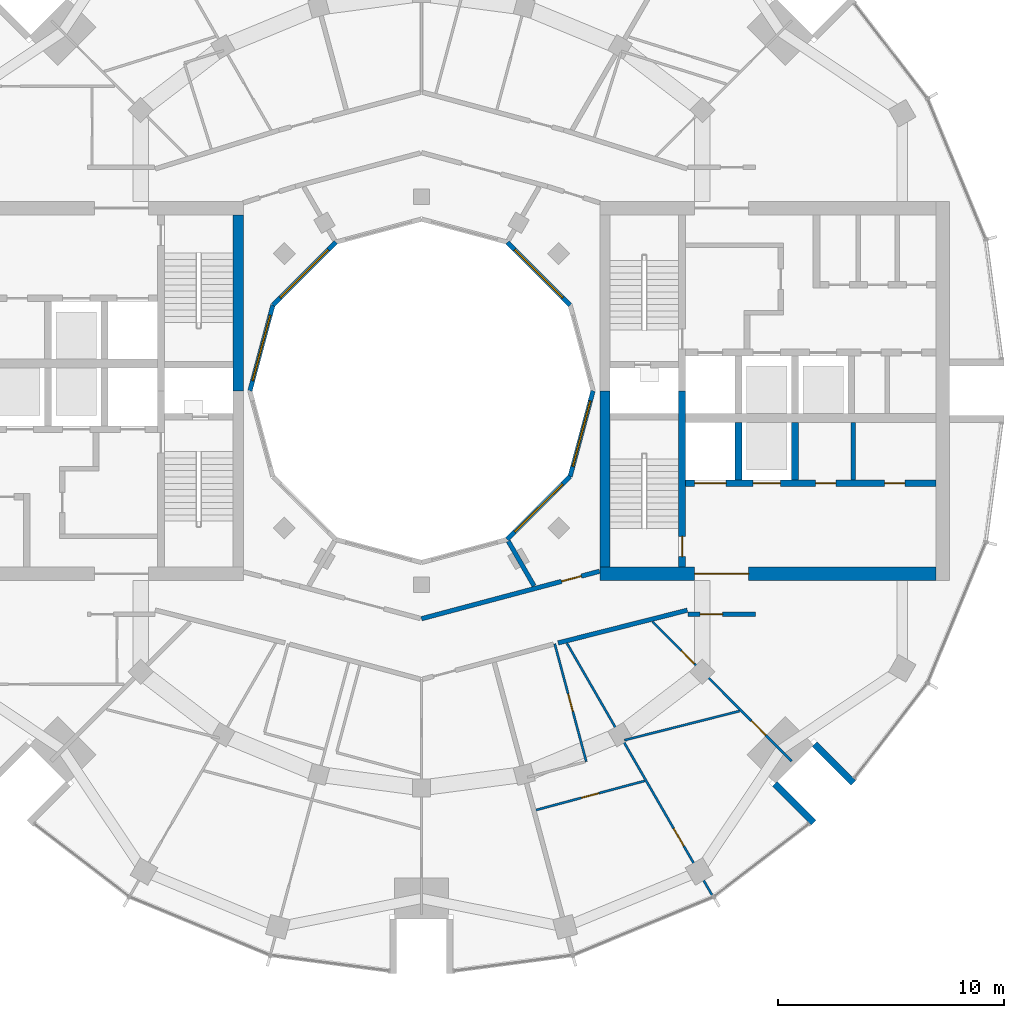
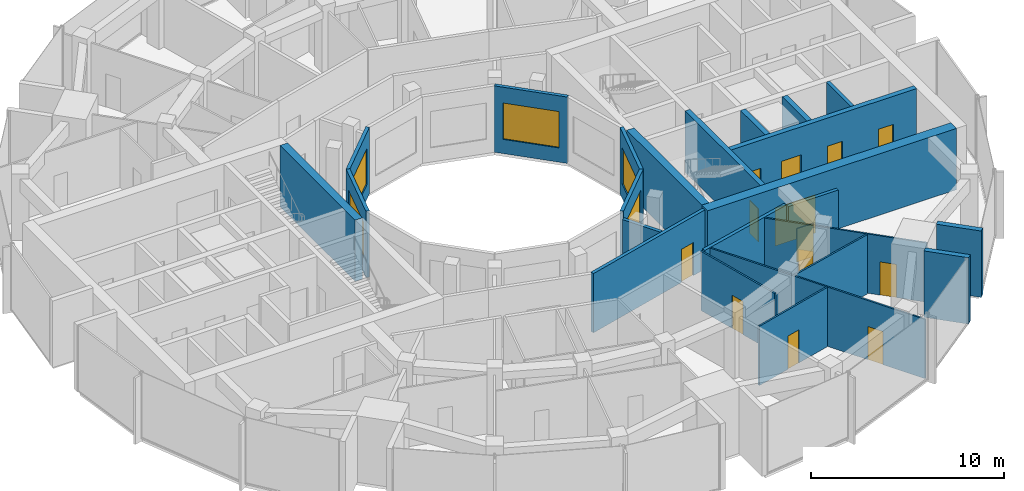
# One storey, part 10 of 15: 24 walls, 13 doors, 5 windows, 18 openings.
"""IFC4 building model written with IfcOpenShell, lengths in metres."""

from ifc_helpers import new_model, si_unit, direction, frame, frame_2d, origin, place, context, subcontext, project, spatial, rectangle, extrude, material, layer, layer_set, type_object, element, fill, save


model = new_model("IFC4")

# Units and contexts
model_context = context("Model", 3, precision=1e-05, world=origin(), true_north=direction((0.0, 1.0)))
body_context = subcontext(model_context, "Body", "Model", "MODEL_VIEW")
ifc_project = project(units=[si_unit("LENGTHUNIT", "METRE"), si_unit("AREAUNIT", "SQUARE_METRE"), si_unit("VOLUMEUNIT", "CUBIC_METRE"), si_unit("PLANEANGLEUNIT", "RADIAN"), si_unit("MASSUNIT", "GRAM", prefix="KILO")], contexts=[model_context])

# Site, building, storey
site_placement = place(None, origin())
site = spatial("IfcSite", under=ifc_project, at=site_placement, CompositionType="ELEMENT")
building_placement = place(site_placement, origin())
building = spatial("IfcBuilding", under=site, at=building_placement, Name="Torre Brocal", CompositionType="ELEMENT")
storey_placement = place(building_placement, frame((0.0, 0.0, 258.300048828125)))
storey = spatial("IfcBuildingStorey", under=building, at=storey_placement, Name="L59", CompositionType="ELEMENT", Elevation=258.300048828125)

# Wall
ifc_material_1 = material(Name="Masonry block", Category="masonry")
ifc_layer_1 = layer(ifc_material_1, 0.199951171875)
ifc_layer_set_1 = layer_set([ifc_layer_1], Name="Masonry block")
wall_type_1 = type_object("IfcWallType", Name="CORE PARTITION 200", PredefinedType="PARTITIONING", material=ifc_layer_set_1)
wall_1_placement = place(storey_placement, frame((99.139892578125, 71.050048828125, 0.0), z_axis=(0.0, 0.0, 1.0), x_axis=(0.0, 1.0, 0.0)))
element("IfcWall", 1, at=wall_1_placement, inside=storey, type_object=wall_type_1, Name="Wall CP200", PredefinedType="PARTITIONING", context=body_context, shape_type="SweptSolid", body=[
    extrude(rectangle(XDim=2.550048828125, YDim=0.199951171875, at=frame_2d((1.27490234375, 0.0))), origin(), (0.0, 0.0, 1.0), 3.8798828125),
])

# Wall, opening, door
ifc_material_2 = material(Name="Concrete C60", Category="concrete")
ifc_layer_2 = layer(ifc_material_2, 0.300048828125)
ifc_layer_set_2 = layer_set([ifc_layer_2], Name="Concrete C60")
wall_type_2 = type_object("IfcWallType", Name="CORE WALL 300 C60", PredefinedType="SHEAR", material=ifc_layer_set_2)
wall_2_placement = place(storey_placement, frame((91.550048828125, 67.199951171875, 0.0), z_axis=(0.0, 0.0, 1.0), x_axis=(0.0, 1.0, 0.0)))
wall_2 = element("IfcWall", 2, at=wall_2_placement, inside=storey, type_object=wall_type_2, Name="Wall CW300-60", PredefinedType="SHEAR", context=body_context, shape_type="SweptSolid", body=[
    extrude(rectangle(XDim=7.800048828125, YDim=0.300048828125, at=frame_2d((3.89990234375, 0.0))), origin(), (0.0, 0.0, 1.0), 3.8798828125),
])
opening_1_placement = place(wall_2_placement, frame((0.449951171875, 0.0, 0.0)))
opening_1 = element("IfcOpeningElement", 3, at=opening_1_placement, cuts=wall_2, Name="Opening E-D03", PredefinedType="OPENING", context=body_context, shape_type="SweptSolid", body=[
    extrude(rectangle(XDim=0.89990234375, YDim=2.10009765625, at=frame_2d((0.449951171875, 1.050048828125))), frame((0.0, 0.159912109375, 0.0), z_axis=(0.0, -1.0, 0.0), x_axis=(1.0, 0.0, 0.0)), (0.0, 0.0, 1.0), 0.320068359375),
])
ifc_material_3 = material(Name="Steel A653", Category="steel")
door_type_1 = type_object("IfcDoorType", Name="STAIR DOOR FD120 900X2100", OperationType="SINGLE_SWING_RIGHT", PredefinedType="DOOR", material=ifc_material_3)
door_1_placement = place(opening_1_placement, origin())
door_1 = element("IfcDoor", 4, at=door_1_placement, inside=storey, type_object=door_type_1, Name="Door E-D03", OperationType="SINGLE_SWING_LEFT", OverallHeight=2.10009765625, OverallWidth=0.89990234375, PredefinedType="DOOR", context=body_context, shape_type="SweptSolid", body=[
    extrude(rectangle(XDim=0.89990234375, YDim=2.10009765625, at=frame_2d((0.449951171875, 1.050048828125))), frame((0.0, 0.02490234375, 0.0), z_axis=(0.0, -1.0, 0.0), x_axis=(1.0, 0.0, 0.0)), (0.0, 0.0, 1.0), 0.050048828125),
])
fill(opening_1, door_1)

# Wall, openings, doors
wall_3_placement = place(storey_placement, frame((91.699951171875, 70.89990234375, 0.0), z_axis=(0.0, 0.0, 1.0), x_axis=(1.0, 0.0, 0.0)))
wall_3 = element("IfcWall", 5, at=wall_3_placement, inside=storey, type_object=wall_type_2, Name="Wall CW300-60", PredefinedType="SHEAR", context=body_context, shape_type="SweptSolid", body=[
    extrude(rectangle(XDim=11.10009765625, YDim=0.300048828125, at=frame_2d((5.550048828125, 0.0))), origin(), (0.0, 0.0, 1.0), 3.8798828125),
])
opening_2_placement = place(wall_3_placement, frame((0.39990234375, 0.0, 0.0)))
opening_2 = element("IfcOpeningElement", 6, at=opening_2_placement, cuts=wall_3, Name="Opening LD14", PredefinedType="OPENING", context=body_context, shape_type="SweptSolid", body=[
    extrude(rectangle(XDim=1.39990234375, YDim=2.10009765625, at=frame_2d((0.699951171875, 1.050048828125))), frame((0.0, 0.159912109375, 0.0), z_axis=(0.0, -1.0, 0.0), x_axis=(1.0, 0.0, 0.0)), (0.0, 0.0, 1.0), 0.320068359375),
])
opening_3_placement = place(wall_3_placement, frame((3.0, 0.0, 0.0)))
opening_3 = element("IfcOpeningElement", 7, at=opening_3_placement, cuts=wall_3, Name="Opening LD12", PredefinedType="OPENING", context=body_context, shape_type="SweptSolid", body=[
    extrude(rectangle(XDim=1.199951171875, YDim=2.10009765625, at=frame_2d((0.60009765625, 1.050048828125))), frame((0.0, 0.159912109375, 0.0), z_axis=(0.0, -1.0, 0.0), x_axis=(1.0, 0.0, 0.0)), (0.0, 0.0, 1.0), 0.320068359375),
])
opening_4_placement = place(wall_3_placement, frame((5.77001953125, 0.0, 0.0)))
opening_4 = element("IfcOpeningElement", 8, at=opening_4_placement, cuts=wall_3, Name="Opening E-D06", PredefinedType="OPENING", context=body_context, shape_type="SweptSolid", body=[
    extrude(rectangle(XDim=0.89990234375, YDim=2.10009765625, at=frame_2d((0.449951171875, 1.050048828125))), frame((0.0, 0.159912109375, 0.0), z_axis=(0.0, -1.0, 0.0), x_axis=(1.0, 0.0, 0.0)), (0.0, 0.0, 1.0), 0.320068359375),
])
opening_5_placement = place(wall_3_placement, frame((8.820068359375, 0.0, 0.0)))
opening_5 = element("IfcOpeningElement", 9, at=opening_5_placement, cuts=wall_3, Name="Opening E-D07", PredefinedType="OPENING", context=body_context, shape_type="SweptSolid", body=[
    extrude(rectangle(XDim=0.89990234375, YDim=2.10009765625, at=frame_2d((0.449951171875, 1.050048828125))), frame((0.0, 0.159912109375, 0.0), z_axis=(0.0, -1.0, 0.0), x_axis=(1.0, 0.0, 0.0)), (0.0, 0.0, 1.0), 0.320068359375),
])
ifc_material_4 = material(Name="Stainless steel AISI 316", Category="steel")
door_type_2 = type_object("IfcDoorType", Name="LIFT LANDING DOOR 1200X2100", OperationType="DOUBLE_DOOR_SLIDING", PredefinedType="DOOR", material=ifc_material_4)
door_2_placement = place(opening_3_placement, origin())
door_2 = element("IfcDoor", 10, at=door_2_placement, inside=storey, type_object=door_type_2, Name="Door LD12", OperationType="DOUBLE_DOOR_SLIDING", OverallHeight=2.10009765625, OverallWidth=1.199951171875, PredefinedType="DOOR", context=body_context, shape_type="SweptSolid", body=[
    extrude(rectangle(XDim=1.199951171875, YDim=2.10009765625, at=frame_2d((0.60009765625, 1.050048828125))), frame((0.0, 0.02490234375, 0.0), z_axis=(0.0, -1.0, 0.0), x_axis=(1.0, 0.0, 0.0)), (0.0, 0.0, 1.0), 0.050048828125),
])
fill(opening_3, door_2)
ifc_material_5 = material(Name="Stainless steel AISI 316", Category="steel")
door_type_3 = type_object("IfcDoorType", Name="LIFT LANDING DOOR 1400X2100", OperationType="DOUBLE_DOOR_SLIDING", PredefinedType="DOOR", material=ifc_material_5)
door_3_placement = place(opening_2_placement, origin())
door_3 = element("IfcDoor", 11, at=door_3_placement, inside=storey, type_object=door_type_3, Name="Door LD14", OperationType="DOUBLE_DOOR_SLIDING", OverallHeight=2.10009765625, OverallWidth=1.39990234375, PredefinedType="DOOR", context=body_context, shape_type="SweptSolid", body=[
    extrude(rectangle(XDim=1.39990234375, YDim=2.10009765625, at=frame_2d((0.699951171875, 1.050048828125))), frame((0.0, 0.02490234375, 0.0), z_axis=(0.0, -1.0, 0.0), x_axis=(1.0, 0.0, 0.0)), (0.0, 0.0, 1.0), 0.050048828125),
])
fill(opening_2, door_3)
ifc_material_6 = material(Name="Steel A653", Category="steel")
door_type_4 = type_object("IfcDoorType", Name="ROOM DOOR FD30S 900X2100", OperationType="SINGLE_SWING_LEFT", PredefinedType="DOOR", material=ifc_material_6)
door_4_placement = place(opening_4_placement, origin())
door_4 = element("IfcDoor", 12, at=door_4_placement, inside=storey, type_object=door_type_4, Name="Door E-D06", OperationType="SINGLE_SWING_RIGHT", OverallHeight=2.10009765625, OverallWidth=0.89990234375, PredefinedType="DOOR", context=body_context, shape_type="SweptSolid", body=[
    extrude(rectangle(XDim=0.89990234375, YDim=2.10009765625, at=frame_2d((0.449951171875, 1.050048828125))), frame((0.0, 0.02490234375, 0.0), z_axis=(0.0, -1.0, 0.0), x_axis=(1.0, 0.0, 0.0)), (0.0, 0.0, 1.0), 0.050048828125),
])
fill(opening_4, door_4)
door_5_placement = place(opening_5_placement, origin())
door_5 = element("IfcDoor", 13, at=door_5_placement, inside=storey, type_object=door_type_4, Name="Door E-D07", OperationType="SINGLE_SWING_LEFT", OverallHeight=2.10009765625, OverallWidth=0.89990234375, PredefinedType="DOOR", context=body_context, shape_type="SweptSolid", body=[
    extrude(rectangle(XDim=0.89990234375, YDim=2.10009765625, at=frame_2d((0.449951171875, 1.050048828125))), frame((0.0, 0.02490234375, 0.0), z_axis=(0.0, -1.0, 0.0), x_axis=(1.0, 0.0, 0.0)), (0.0, 0.0, 1.0), 0.050048828125),
])
fill(opening_5, door_5)

# Walls
for number, where, z_axis, x_axis, name in (
    (14, (94.050048828125, 71.050048828125, 0.0), (0.0, 0.0, 1.0), (0.0, 1.0, 0.0), "Wall CW300-60"),
    (15, (96.550048828125, 71.050048828125, 0.0), (0.0, 0.0, 1.0), (0.0, 1.0, 0.0), "Wall CW300-60"),
):
    element("IfcWall", number, at=place(storey_placement, frame(where, z_axis=z_axis, x_axis=x_axis)), inside=storey, type_object=wall_type_2, Name=name, PredefinedType="SHEAR", context=body_context, shape_type="SweptSolid", body=[
        extrude(rectangle(XDim=2.550048828125, YDim=0.300048828125, at=frame_2d((1.27490234375, 0.0))), origin(), (0.0, 0.0, 1.0), 3.8798828125),
    ])
ifc_material_7 = material(Name="Concrete C60", Category="concrete")
ifc_layer_3 = layer(ifc_material_7, 0.449951171875)
ifc_layer_set_3 = layer_set([ifc_layer_3], Name="Concrete C60")
wall_type_3 = type_object("IfcWallType", Name="CORE WALL 450 C60", PredefinedType="SHEAR", material=ifc_layer_set_3)
for number, where, z_axis, x_axis, name in (
    (16, (88.125, 67.199951171875, 0.0), (0.0, 0.0, 1.0), (0.0, 1.0, 0.0), "Wall CW450-60"),
    (17, (71.875, 82.800048828125, 0.0), (0.0, 0.0, 1.0), (0.0, -1.0, 0.0), "Wall CW450-60"),
):
    element("IfcWall", number, at=place(storey_placement, frame(where, z_axis=z_axis, x_axis=x_axis)), inside=storey, type_object=wall_type_3, Name=name, PredefinedType="SHEAR", context=body_context, shape_type="SweptSolid", body=[
        extrude(rectangle(XDim=7.800048828125, YDim=0.449951171875, at=frame_2d((3.89990234375, 0.0))), origin(), (0.0, 0.0, 1.0), 3.8798828125),
    ])

# Wall, opening, door
ifc_material_8 = material(Name="Concrete C60", Category="concrete")
ifc_layer_4 = layer(ifc_material_8, 0.60009765625)
ifc_layer_set_4 = layer_set([ifc_layer_4], Name="Concrete C60")
wall_type_4 = type_object("IfcWallType", Name="CORE WALL 600 C60", PredefinedType="SHEAR", material=ifc_layer_set_4)
wall_4_placement = place(storey_placement, frame((87.89990234375, 66.89990234375, 0.0), z_axis=(0.0, 0.0, 1.0), x_axis=(1.0, 0.0, 0.0)))
wall_4 = element("IfcWall", 18, at=wall_4_placement, inside=storey, type_object=wall_type_4, Name="Wall CW600-60", PredefinedType="SHEAR", context=body_context, shape_type="SweptSolid", body=[
    extrude(rectangle(XDim=14.900146484375, YDim=0.60009765625, at=frame_2d((7.4501953125, 0.0))), origin(), (0.0, 0.0, 1.0), 3.8798828125),
])
opening_6_placement = place(wall_4_placement, frame((4.199951171875, 0.0, 0.0)))
opening_6 = element("IfcOpeningElement", 19, at=opening_6_placement, cuts=wall_4, Name="Opening E-D13", PredefinedType="OPENING", context=body_context, shape_type="SweptSolid", body=[
    extrude(rectangle(XDim=2.39990234375, YDim=2.39990234375, at=frame_2d((1.199951171875, 1.199951171875))), frame((0.0, 0.31005859375, 0.0), z_axis=(0.0, -1.0, 0.0), x_axis=(1.0, 0.0, 0.0)), (0.0, 0.0, 1.0), 0.6201171875),
])
ifc_material_9 = material(Name="Steel A653", Category="steel")
door_type_5 = type_object("IfcDoorType", Name="DOUBLE FIRE DOOR FD90 2400X2400", OperationType="DOUBLE_DOOR_SINGLE_SWING", PredefinedType="DOOR", material=ifc_material_9)
door_6_placement = place(opening_6_placement, origin())
door_6 = element("IfcDoor", 20, at=door_6_placement, inside=storey, type_object=door_type_5, Name="Door E-D13", OperationType="DOUBLE_DOOR_SINGLE_SWING", OverallHeight=2.39990234375, OverallWidth=2.39990234375, PredefinedType="DOOR", context=body_context, shape_type="SweptSolid", body=[
    extrude(rectangle(XDim=2.39990234375, YDim=2.39990234375, at=frame_2d((1.199951171875, 1.199951171875))), frame((0.0, 0.02490234375, 0.0), z_axis=(0.0, -1.0, 0.0), x_axis=(1.0, 0.0, 0.0)), (0.0, 0.0, 1.0), 0.050048828125),
])
fill(opening_6, door_6)

# Walls
ifc_material_10 = material(Name="Concrete C60", Category="concrete")
ifc_layer_5 = layer(ifc_material_10, 0.300048828125)
ifc_layer_set_5 = layer_set([ifc_layer_5], Name="Concrete C60")
wall_type_5 = type_object("IfcWallType", Name="NOTCH RETURN WALL 300 C60", PredefinedType="NOTDEFINED", material=ifc_layer_set_5)
for number, where, z_axis, x_axis, name in (
    (21, (95.662353515625, 57.56982421875, 0.0), (0.0, 0.0, 1.0), (0.707106781187, -0.707106781187, 0.0), "NOTCH RETURN WALL"),
    (22, (97.43017578125, 59.337646484375, 0.0), (0.0, 0.0, 1.0), (0.707106781187, -0.707106781187, 0.0), "NOTCH RETURN WALL"),
):
    element("IfcWall", number, at=place(storey_placement, frame(where, z_axis=z_axis, x_axis=x_axis)), inside=storey, type_object=wall_type_5, Name=name, PredefinedType="NOTDEFINED", context=body_context, shape_type="SweptSolid", body=[
        extrude(rectangle(XDim=2.415771484375, YDim=0.300048828125, at=frame_2d((1.2080078125, 0.0))), origin(), (0.0, 0.0, 1.0), 4.199951171875),
    ])

# Wall, opening, door
ifc_material_11 = material(Name="Gypsum board", Category="Gypsum")
ifc_layer_6 = layer(ifc_material_11, 0.10009765625)
ifc_layer_set_6 = layer_set([ifc_layer_6], Name="Gypsum board")
wall_type_6 = type_object("IfcWallType", Name="PARTITION 100", PredefinedType="PARTITIONING", material=ifc_layer_set_6)
wall_5_placement = place(storey_placement, frame((85.08154296875, 56.421875, 0.0), z_axis=(0.0, 0.0, 1.0), x_axis=(0.965916105496, 0.258855320873, 0.0)))
wall_5 = element("IfcWall", 23, at=wall_5_placement, inside=storey, type_object=wall_type_6, Name="BATHROOM WALL", PredefinedType="PARTITIONING", context=body_context, shape_type="SweptSolid", body=[
    extrude(rectangle(XDim=4.980712890625, YDim=0.10009765625, at=frame_2d((2.490234375, 0.0))), origin(), (0.0, 0.0, 1.0), 3.75),
])
opening_7_placement = place(wall_5_placement, frame((2.08056640625, 0.0, 0.0)))
opening_7 = element("IfcOpeningElement", 24, at=opening_7_placement, cuts=wall_5, Name="Opening B04-D26", PredefinedType="OPENING", context=body_context, shape_type="SweptSolid", body=[
    extrude(rectangle(XDim=0.800048828125, YDim=2.10009765625, at=frame_2d((0.39990234375, 1.050048828125))), frame((0.0, 0.06005859375, 0.0), z_axis=(0.0, -1.0, 0.0), x_axis=(1.0, 0.0, 0.0)), (0.0, 0.0, 1.0), 0.1201171875),
])
ifc_material_12 = material(Name="Timber", Category="wood")
door_type_6 = type_object("IfcDoorType", Name="BATHROOM DOOR 800X2100", OperationType="SINGLE_SWING_LEFT", PredefinedType="DOOR", material=ifc_material_12)
door_7_placement = place(opening_7_placement, frame((0.800048828125, 0.0, 0.0), z_axis=(0.0, 0.0, 1.0), x_axis=(-1.0, 0.0, 0.0)))
door_7 = element("IfcDoor", 25, at=door_7_placement, inside=storey, type_object=door_type_6, Name="B04-D26", OperationType="SINGLE_SWING_RIGHT", OverallHeight=2.10009765625, OverallWidth=0.800048828125, PredefinedType="DOOR", context=body_context, shape_type="SweptSolid", body=[
    extrude(rectangle(XDim=0.800048828125, YDim=2.10009765625, at=frame_2d((0.39990234375, 1.050048828125))), frame((0.0, 0.02490234375, 0.0), z_axis=(0.0, -1.0, 0.0), x_axis=(1.0, 0.0, 0.0)), (0.0, 0.0, 1.0), 0.050048828125),
])
fill(opening_7, door_7)

wall_6_placement = place(storey_placement, frame((85.904052734375, 63.785888671875, 0.0), z_axis=(0.0, 0.0, 1.0), x_axis=(0.258883730688, -0.965908491517, 0.0)))
wall_6 = element("IfcWall", 26, at=wall_6_placement, inside=storey, type_object=wall_type_6, Name="BATHROOM WALL", PredefinedType="PARTITIONING", context=body_context, shape_type="SweptSolid", body=[
    extrude(rectangle(XDim=5.39990234375, YDim=0.10009765625, at=frame_2d((2.699951171875, 0.0))), origin(), (0.0, 0.0, 1.0), 3.75),
])
opening_8_placement = place(wall_6_placement, frame((2.300048828125, 0.0, 0.0)))
opening_8 = element("IfcOpeningElement", 27, at=opening_8_placement, cuts=wall_6, Name="Opening B04-D25", PredefinedType="OPENING", context=body_context, shape_type="SweptSolid", body=[
    extrude(rectangle(XDim=0.800048828125, YDim=2.10009765625, at=frame_2d((0.39990234375, 1.050048828125))), frame((0.0, 0.06005859375, 0.0), z_axis=(0.0, -1.0, 0.0), x_axis=(1.0, 0.0, 0.0)), (0.0, 0.0, 1.0), 0.1201171875),
])
door_8_placement = place(opening_8_placement, frame((0.800048828125, 0.0, 0.0), z_axis=(0.0, 0.0, 1.0), x_axis=(-1.0, 0.0, 0.0)))
door_8 = element("IfcDoor", 28, at=door_8_placement, inside=storey, type_object=door_type_6, Name="B04-D25", OperationType="SINGLE_SWING_RIGHT", OverallHeight=2.10009765625, OverallWidth=0.800048828125, PredefinedType="DOOR", context=body_context, shape_type="SweptSolid", body=[
    extrude(rectangle(XDim=0.800048828125, YDim=2.10009765625, at=frame_2d((0.39990234375, 1.050048828125))), frame((0.0, 0.02490234375, 0.0), z_axis=(0.0, -1.0, 0.0), x_axis=(1.0, 0.0, 0.0)), (0.0, 0.0, 1.0), 0.050048828125),
])
fill(opening_8, door_8)

wall_7_placement = place(storey_placement, frame((86.443359375, 63.811279296875, 0.0), z_axis=(0.0, 0.0, 1.0), x_axis=(0.499444698744, -0.866345769827, 0.0)))
wall_7 = element("IfcWall", 29, at=wall_7_placement, inside=storey, type_object=wall_type_6, Name="BATHROOM WALL", PredefinedType="PARTITIONING", context=body_context, shape_type="SweptSolid", body=[
    extrude(rectangle(XDim=12.886474609375, YDim=0.10009765625, at=frame_2d((6.443359375, 0.0))), origin(), (0.0, 0.0, 1.0), 3.75),
])
opening_9_placement = place(wall_7_placement, frame((9.471923828125, 0.0, 0.0)))
opening_9 = element("IfcOpeningElement", 30, at=opening_9_placement, cuts=wall_7, Name="Opening B04-D24", PredefinedType="OPENING", context=body_context, shape_type="SweptSolid", body=[
    extrude(rectangle(XDim=0.89990234375, YDim=2.10009765625, at=frame_2d((0.449951171875, 1.050048828125))), frame((0.0, 0.06005859375, 0.0), z_axis=(0.0, -1.0, 0.0), x_axis=(1.0, 0.0, 0.0)), (0.0, 0.0, 1.0), 0.1201171875),
])
ifc_material_13 = material(Name="Timber", Category="wood")
door_type_7 = type_object("IfcDoorType", Name="ROOM DOOR 900X2100", OperationType="SINGLE_SWING_LEFT", PredefinedType="DOOR", material=ifc_material_13)
door_9_placement = place(opening_9_placement, origin())
door_9 = element("IfcDoor", 31, at=door_9_placement, inside=storey, type_object=door_type_7, Name="B04-D24", OperationType="SINGLE_SWING_RIGHT", OverallHeight=2.10009765625, OverallWidth=0.89990234375, PredefinedType="DOOR", context=body_context, shape_type="SweptSolid", body=[
    extrude(rectangle(XDim=0.89990234375, YDim=2.10009765625, at=frame_2d((0.449951171875, 1.050048828125))), frame((0.0, 0.02490234375, 0.0), z_axis=(0.0, -1.0, 0.0), x_axis=(1.0, 0.0, 0.0)), (0.0, 0.0, 1.0), 0.050048828125),
])
fill(opening_9, door_9)

# Wall
wall_8_placement = place(storey_placement, frame((88.99560546875, 59.516357421875, 0.0), z_axis=(0.0, 0.0, 1.0), x_axis=(0.969474312332, 0.245192899019, 0.0)))
element("IfcWall", 32, at=wall_8_placement, inside=storey, type_object=wall_type_6, Name="BATHROOM WALL", PredefinedType="PARTITIONING", context=body_context, shape_type="SweptSolid", body=[
    extrude(rectangle(XDim=5.25146484375, YDim=0.10009765625, at=frame_2d((2.625732421875, 0.0))), origin(), (0.0, 0.0, 1.0), 3.75),
])

# Wall, openings, doors
wall_9_placement = place(storey_placement, frame((90.237060546875, 64.759033203125, 0.0), z_axis=(0.0, 0.0, 1.0), x_axis=(0.707008780941, -0.707204767852, 0.0)))
wall_9 = element("IfcWall", 33, at=wall_9_placement, inside=storey, type_object=wall_type_6, Name="BATHROOM WALL", PredefinedType="PARTITIONING", context=body_context, shape_type="SweptSolid", body=[
    extrude(rectangle(XDim=8.719970703125, YDim=0.10009765625, at=frame_2d((4.35986328125, 0.0))), origin(), (0.0, 0.0, 1.0), 3.75),
])
opening_10_placement = place(wall_9_placement, frame((6.206298828125, 0.0, 0.0)))
opening_10 = element("IfcOpeningElement", 34, at=opening_10_placement, cuts=wall_9, Name="Opening B04-D22", PredefinedType="OPENING", context=body_context, shape_type="SweptSolid", body=[
    extrude(rectangle(XDim=0.89990234375, YDim=2.10009765625, at=frame_2d((0.449951171875, 1.050048828125))), frame((0.0, 0.06005859375, 0.0), z_axis=(0.0, -1.0, 0.0), x_axis=(1.0, 0.0, 0.0)), (0.0, 0.0, 1.0), 0.1201171875),
])
opening_11_placement = place(wall_9_placement, frame((1.817138671875, 0.0, 0.0)))
opening_11 = element("IfcOpeningElement", 35, at=opening_11_placement, cuts=wall_9, Name="Opening B04-D23", PredefinedType="OPENING", context=body_context, shape_type="SweptSolid", body=[
    extrude(rectangle(XDim=0.800048828125, YDim=2.10009765625, at=frame_2d((0.39990234375, 1.050048828125))), frame((0.0, 0.06005859375, 0.0), z_axis=(0.0, -1.0, 0.0), x_axis=(1.0, 0.0, 0.0)), (0.0, 0.0, 1.0), 0.1201171875),
])
door_10_placement = place(opening_11_placement, frame((0.800048828125, 0.0, 0.0), z_axis=(0.0, 0.0, 1.0), x_axis=(-1.0, 0.0, 0.0)))
door_10 = element("IfcDoor", 36, at=door_10_placement, inside=storey, type_object=door_type_6, Name="B04-D23", OperationType="SINGLE_SWING_RIGHT", OverallHeight=2.10009765625, OverallWidth=0.800048828125, PredefinedType="DOOR", context=body_context, shape_type="SweptSolid", body=[
    extrude(rectangle(XDim=0.800048828125, YDim=2.10009765625, at=frame_2d((0.39990234375, 1.050048828125))), frame((0.0, 0.02490234375, 0.0), z_axis=(0.0, -1.0, 0.0), x_axis=(1.0, 0.0, 0.0)), (0.0, 0.0, 1.0), 0.050048828125),
])
fill(opening_11, door_10)
door_11_placement = place(opening_10_placement, origin())
door_11 = element("IfcDoor", 37, at=door_11_placement, inside=storey, type_object=door_type_7, Name="B04-D22", OperationType="SINGLE_SWING_LEFT", OverallHeight=2.10009765625, OverallWidth=0.89990234375, PredefinedType="DOOR", context=body_context, shape_type="SweptSolid", body=[
    extrude(rectangle(XDim=0.89990234375, YDim=2.10009765625, at=frame_2d((0.449951171875, 1.050048828125))), frame((0.0, 0.02490234375, 0.0), z_axis=(0.0, -1.0, 0.0), x_axis=(1.0, 0.0, 0.0)), (0.0, 0.0, 1.0), 0.050048828125),
])
fill(opening_10, door_11)

# Wall, opening, door
ifc_material_14 = material(Name="Gypsum board", Category="Gypsum")
ifc_layer_7 = layer(ifc_material_14, 0.199951171875)
ifc_layer_set_7 = layer_set([ifc_layer_7], Name="Gypsum board")
wall_type_7 = type_object("IfcWallType", Name="PARTITION 200 EI60", PredefinedType="PARTITIONING", material=ifc_layer_set_7)
wall_10_placement = place(storey_placement, frame((79.99951171875, 64.89794921875, 0.0), z_axis=(0.0, 0.0, 1.0), x_axis=(0.966237419782, 0.257653349704, 0.0)))
wall_10 = element("IfcWall", 38, at=wall_10_placement, inside=storey, type_object=wall_type_7, Name="CORRIDOR WALL", PredefinedType="PARTITIONING", context=body_context, shape_type="SweptSolid", body=[
    extrude(rectangle(XDim=8.1689453125, YDim=0.199951171875, at=frame_2d((4.08447265625, 0.0))), origin(), (0.0, 0.0, 1.0), 3.75),
])
opening_12_placement = place(wall_10_placement, frame((6.427978515625, 0.0, 0.0)))
opening_12 = element("IfcOpeningElement", 39, at=opening_12_placement, cuts=wall_10, Name="Opening B04-D39", PredefinedType="OPENING", context=body_context, shape_type="SweptSolid", body=[
    extrude(rectangle(XDim=0.89990234375, YDim=2.10009765625, at=frame_2d((0.449951171875, 1.050048828125))), frame((0.0, 0.10986328125, 0.0), z_axis=(0.0, -1.0, 0.0), x_axis=(1.0, 0.0, 0.0)), (0.0, 0.0, 1.0), 0.219970703125),
])
door_12_placement = place(opening_12_placement, origin())
door_12 = element("IfcDoor", 40, at=door_12_placement, inside=storey, type_object=door_type_7, Name="B04-D39", OperationType="SINGLE_SWING_RIGHT", OverallHeight=2.10009765625, OverallWidth=0.89990234375, PredefinedType="DOOR", context=body_context, shape_type="SweptSolid", body=[
    extrude(rectangle(XDim=0.89990234375, YDim=2.10009765625, at=frame_2d((0.449951171875, 1.050048828125))), frame((0.0, 0.02490234375, 0.0), z_axis=(0.0, -1.0, 0.0), x_axis=(1.0, 0.0, 0.0)), (0.0, 0.0, 1.0), 0.050048828125),
])
fill(opening_12, door_12)

# Walls
wall_11_placement = place(storey_placement, frame((83.848388671875, 68.331298828125, 0.0), z_axis=(0.0, 0.0, 1.0), x_axis=(0.499851978358, -0.866110847255, 0.0)))
element("IfcWall", 41, at=wall_11_placement, inside=storey, type_object=wall_type_7, Name="PARTY PARTITION", PredefinedType="PARTITIONING", context=body_context, shape_type="SweptSolid", body=[
    extrude(rectangle(XDim=2.284423828125, YDim=0.199951171875, at=frame_2d((1.14208984375, 0.0))), origin(), (0.0, 0.0, 1.0), 3.75),
])
wall_12_placement = place(storey_placement, frame((86.052978515625, 63.826171875, 0.0), z_axis=(0.0, 0.0, 1.0), x_axis=(0.969490004987, 0.245130843083, 0.0)))
element("IfcWall", 42, at=wall_12_placement, inside=storey, type_object=wall_type_7, Name="FLAT ENTRANCE WALL", PredefinedType="PARTITIONING", context=body_context, shape_type="SweptSolid", body=[
    extrude(rectangle(XDim=5.907958984375, YDim=0.199951171875, at=frame_2d((2.9541015625, 0.0))), origin(), (0.0, 0.0, 1.0), 3.75),
])

# Wall, opening, door
wall_13_placement = place(storey_placement, frame((91.800048828125, 65.10009765625, 0.0), z_axis=(0.0, 0.0, 1.0), x_axis=(1.0, 0.0, 0.0)))
wall_13 = element("IfcWall", 43, at=wall_13_placement, inside=storey, type_object=wall_type_7, Name="FLAT ENTRANCE WALL", PredefinedType="PARTITIONING", context=body_context, shape_type="SweptSolid", body=[
    extrude(rectangle(XDim=3.0, YDim=0.199951171875, at=frame_2d((1.5, 0.0))), origin(), (0.0, 0.0, 1.0), 3.75),
])
opening_13_placement = place(wall_13_placement, frame((0.550048828125, 0.0, 0.0)))
opening_13 = element("IfcOpeningElement", 44, at=opening_13_placement, cuts=wall_13, Name="Opening B04-D21", PredefinedType="OPENING", context=body_context, shape_type="SweptSolid", body=[
    extrude(rectangle(XDim=1.0, YDim=2.10009765625, at=frame_2d((0.5, 1.050048828125))), frame((0.0, 0.10986328125, 0.0), z_axis=(0.0, -1.0, 0.0), x_axis=(1.0, 0.0, 0.0)), (0.0, 0.0, 1.0), 0.219970703125),
])
ifc_material_15 = material(Name="Timber", Category="wood")
door_type_8 = type_object("IfcDoorType", Name="FLAT ENTRY DOOR FD30S 1000X2100", OperationType="SINGLE_SWING_RIGHT", PredefinedType="DOOR", material=ifc_material_15)
door_13_placement = place(opening_13_placement, frame((1.0, 0.0, 0.0), z_axis=(0.0, 0.0, 1.0), x_axis=(-1.0, 0.0, 0.0)))
door_13 = element("IfcDoor", 45, at=door_13_placement, inside=storey, type_object=door_type_8, Name="B04-D21", OperationType="SINGLE_SWING_RIGHT", OverallHeight=2.10009765625, OverallWidth=1.0, PredefinedType="DOOR", context=body_context, shape_type="SweptSolid", body=[
    extrude(rectangle(XDim=1.0, YDim=2.10009765625, at=frame_2d((0.5, 1.050048828125))), frame((0.0, 0.02490234375, 0.0), z_axis=(0.0, -1.0, 0.0), x_axis=(1.0, 0.0, 0.0)), (0.0, 0.0, 1.0), 0.050048828125),
])
fill(opening_13, door_13)

# Wall, opening, window
ifc_material_16 = material(Name="Concrete C40", Category="concrete")
ifc_layer_8 = layer(ifc_material_16, 0.199951171875)
ifc_layer_set_8 = layer_set([ifc_layer_8], Name="Concrete C40")
wall_type_8 = type_object("IfcWallType", Name="WELL FACADE WALL 200", PredefinedType="NOTDEFINED", material=ifc_layer_set_8)
wall_14_placement = place(storey_placement, frame((86.5849609375, 78.8017578125, 0.0), z_axis=(0.0, 0.0, 1.0), x_axis=(-0.707106781187, 0.707106781187, 0.0)))
wall_14 = element("IfcWall", 46, at=wall_14_placement, inside=storey, type_object=wall_type_8, Name="WELL FACADE WALL", PredefinedType="NOTDEFINED", context=body_context, shape_type="SweptSolid", body=[
    extrude(rectangle(XDim=3.93603515625, YDim=0.199951171875, at=frame_2d((1.968017578125, 0.0))), origin(), (0.0, 0.0, 1.0), 4.199951171875),
])
opening_14_placement = place(wall_14_placement, frame((0.468017578125, 0.0, 0.89990234375)))
opening_14 = element("IfcOpeningElement", 47, at=opening_14_placement, cuts=wall_14, Name="Opening W1", PredefinedType="OPENING", context=body_context, shape_type="SweptSolid", body=[
    extrude(rectangle(XDim=3.0, YDim=2.300048828125, at=frame_2d((1.5, 1.14990234375))), frame((0.0, 0.10986328125, 0.0), z_axis=(0.0, -1.0, 0.0), x_axis=(1.0, 0.0, 0.0)), (0.0, 0.0, 1.0), 0.219970703125),
])
ifc_material_17 = material(Name="Aluminium and glass", Category="aluminium")
window_type = type_object("IfcWindowType", Name="WELL WINDOW 3000X2300", PartitioningType="SINGLE_PANEL", PredefinedType="WINDOW", material=ifc_material_17)
window_1_placement = place(opening_14_placement, origin())
window_1 = element("IfcWindow", 48, at=window_1_placement, inside=storey, type_object=window_type, Name="WELL WINDOW 3000X2300", OverallHeight=2.300048828125, OverallWidth=3.0, PartitioningType="SINGLE_PANEL", PredefinedType="WINDOW", context=body_context, shape_type="SweptSolid", body=[
    extrude(rectangle(XDim=3.0, YDim=2.300048828125, at=frame_2d((1.5, 1.14990234375))), frame((0.0, 0.030029296875, 0.0), z_axis=(0.0, -1.0, 0.0), x_axis=(1.0, 0.0, 0.0)), (0.0, 0.0, 1.0), 0.06005859375),
])
fill(opening_14, window_1)

wall_15_placement = place(storey_placement, frame((76.1982421875, 81.5849609375, 0.0), z_axis=(0.0, 0.0, 1.0), x_axis=(-0.707106781187, -0.707106781187, 0.0)))
wall_15 = element("IfcWall", 49, at=wall_15_placement, inside=storey, type_object=wall_type_8, Name="WELL FACADE WALL", PredefinedType="NOTDEFINED", context=body_context, shape_type="SweptSolid", body=[
    extrude(rectangle(XDim=3.93603515625, YDim=0.199951171875, at=frame_2d((1.968017578125, 0.0))), origin(), (0.0, 0.0, 1.0), 4.199951171875),
])
opening_15_placement = place(wall_15_placement, frame((0.468017578125, 0.0, 0.89990234375)))
opening_15 = element("IfcOpeningElement", 50, at=opening_15_placement, cuts=wall_15, Name="Opening W1", PredefinedType="OPENING", context=body_context, shape_type="SweptSolid", body=[
    extrude(rectangle(XDim=3.0, YDim=2.300048828125, at=frame_2d((1.5, 1.14990234375))), frame((0.0, 0.10986328125, 0.0), z_axis=(0.0, -1.0, 0.0), x_axis=(1.0, 0.0, 0.0)), (0.0, 0.0, 1.0), 0.219970703125),
])
window_2_placement = place(opening_15_placement, origin())
window_2 = element("IfcWindow", 51, at=window_2_placement, inside=storey, type_object=window_type, Name="WELL WINDOW 3000X2300", OverallHeight=2.300048828125, OverallWidth=3.0, PartitioningType="SINGLE_PANEL", PredefinedType="WINDOW", context=body_context, shape_type="SweptSolid", body=[
    extrude(rectangle(XDim=3.0, YDim=2.300048828125, at=frame_2d((1.5, 1.14990234375))), frame((0.0, 0.030029296875, 0.0), z_axis=(0.0, -1.0, 0.0), x_axis=(1.0, 0.0, 0.0)), (0.0, 0.0, 1.0), 0.06005859375),
])
fill(opening_15, window_2)

wall_16_placement = place(storey_placement, frame((73.4150390625, 78.8017578125, 0.0), z_axis=(0.0, 0.0, 1.0), x_axis=(-0.258789828301, -0.965933654434, 0.0)))
wall_16 = element("IfcWall", 52, at=wall_16_placement, inside=storey, type_object=wall_type_8, Name="WELL FACADE WALL", PredefinedType="NOTDEFINED", context=body_context, shape_type="SweptSolid", body=[
    extrude(rectangle(XDim=3.935791015625, YDim=0.199951171875, at=frame_2d((1.9677734375, 0.0))), origin(), (0.0, 0.0, 1.0), 4.199951171875),
])
opening_16_placement = place(wall_16_placement, frame((0.468017578125, 0.0, 0.89990234375)))
opening_16 = element("IfcOpeningElement", 53, at=opening_16_placement, cuts=wall_16, Name="Opening W1", PredefinedType="OPENING", context=body_context, shape_type="SweptSolid", body=[
    extrude(rectangle(XDim=3.0, YDim=2.300048828125, at=frame_2d((1.5, 1.14990234375))), frame((0.0, 0.10986328125, 0.0), z_axis=(0.0, -1.0, 0.0), x_axis=(1.0, 0.0, 0.0)), (0.0, 0.0, 1.0), 0.219970703125),
])
window_3_placement = place(opening_16_placement, origin())
window_3 = element("IfcWindow", 54, at=window_3_placement, inside=storey, type_object=window_type, Name="WELL WINDOW 3000X2300", OverallHeight=2.300048828125, OverallWidth=3.0, PartitioningType="SINGLE_PANEL", PredefinedType="WINDOW", context=body_context, shape_type="SweptSolid", body=[
    extrude(rectangle(XDim=3.0, YDim=2.300048828125, at=frame_2d((1.5, 1.14990234375))), frame((0.0, 0.030029296875, 0.0), z_axis=(0.0, -1.0, 0.0), x_axis=(1.0, 0.0, 0.0)), (0.0, 0.0, 1.0), 0.06005859375),
])
fill(opening_16, window_3)

wall_17_placement = place(storey_placement, frame((83.8017578125, 68.4150390625, 0.0), z_axis=(0.0, 0.0, 1.0), x_axis=(0.707106781187, 0.707106781187, 0.0)))
wall_17 = element("IfcWall", 55, at=wall_17_placement, inside=storey, type_object=wall_type_8, Name="WELL FACADE WALL", PredefinedType="NOTDEFINED", context=body_context, shape_type="SweptSolid", body=[
    extrude(rectangle(XDim=3.93603515625, YDim=0.199951171875, at=frame_2d((1.968017578125, 0.0))), origin(), (0.0, 0.0, 1.0), 4.199951171875),
])
opening_17_placement = place(wall_17_placement, frame((0.468017578125, 0.0, 0.89990234375)))
opening_17 = element("IfcOpeningElement", 56, at=opening_17_placement, cuts=wall_17, Name="Opening W1", PredefinedType="OPENING", context=body_context, shape_type="SweptSolid", body=[
    extrude(rectangle(XDim=3.0, YDim=2.300048828125, at=frame_2d((1.5, 1.14990234375))), frame((0.0, 0.10986328125, 0.0), z_axis=(0.0, -1.0, 0.0), x_axis=(1.0, 0.0, 0.0)), (0.0, 0.0, 1.0), 0.219970703125),
])
window_4_placement = place(opening_17_placement, origin())
window_4 = element("IfcWindow", 57, at=window_4_placement, inside=storey, type_object=window_type, Name="WELL WINDOW 3000X2300", OverallHeight=2.300048828125, OverallWidth=3.0, PartitioningType="SINGLE_PANEL", PredefinedType="WINDOW", context=body_context, shape_type="SweptSolid", body=[
    extrude(rectangle(XDim=3.0, YDim=2.300048828125, at=frame_2d((1.5, 1.14990234375))), frame((0.0, 0.030029296875, 0.0), z_axis=(0.0, -1.0, 0.0), x_axis=(1.0, 0.0, 0.0)), (0.0, 0.0, 1.0), 0.06005859375),
])
fill(opening_17, window_4)

wall_18_placement = place(storey_placement, frame((86.5849609375, 71.1982421875, 0.0), z_axis=(0.0, 0.0, 1.0), x_axis=(0.258789828301, 0.965933654434, 0.0)))
wall_18 = element("IfcWall", 58, at=wall_18_placement, inside=storey, type_object=wall_type_8, Name="WELL FACADE WALL", PredefinedType="NOTDEFINED", context=body_context, shape_type="SweptSolid", body=[
    extrude(rectangle(XDim=3.935791015625, YDim=0.199951171875, at=frame_2d((1.9677734375, 0.0))), origin(), (0.0, 0.0, 1.0), 4.199951171875),
])
opening_18_placement = place(wall_18_placement, frame((0.468017578125, 0.0, 0.89990234375)))
opening_18 = element("IfcOpeningElement", 59, at=opening_18_placement, cuts=wall_18, Name="Opening W1", PredefinedType="OPENING", context=body_context, shape_type="SweptSolid", body=[
    extrude(rectangle(XDim=3.0, YDim=2.300048828125, at=frame_2d((1.5, 1.14990234375))), frame((0.0, 0.10986328125, 0.0), z_axis=(0.0, -1.0, 0.0), x_axis=(1.0, 0.0, 0.0)), (0.0, 0.0, 1.0), 0.219970703125),
])
window_5_placement = place(opening_18_placement, origin())
window_5 = element("IfcWindow", 60, at=window_5_placement, inside=storey, type_object=window_type, Name="WELL WINDOW 3000X2300", OverallHeight=2.300048828125, OverallWidth=3.0, PartitioningType="SINGLE_PANEL", PredefinedType="WINDOW", context=body_context, shape_type="SweptSolid", body=[
    extrude(rectangle(XDim=3.0, YDim=2.300048828125, at=frame_2d((1.5, 1.14990234375))), frame((0.0, 0.030029296875, 0.0), z_axis=(0.0, -1.0, 0.0), x_axis=(1.0, 0.0, 0.0)), (0.0, 0.0, 1.0), 0.06005859375),
])
fill(opening_18, window_5)

save(model, "model.ifc")
